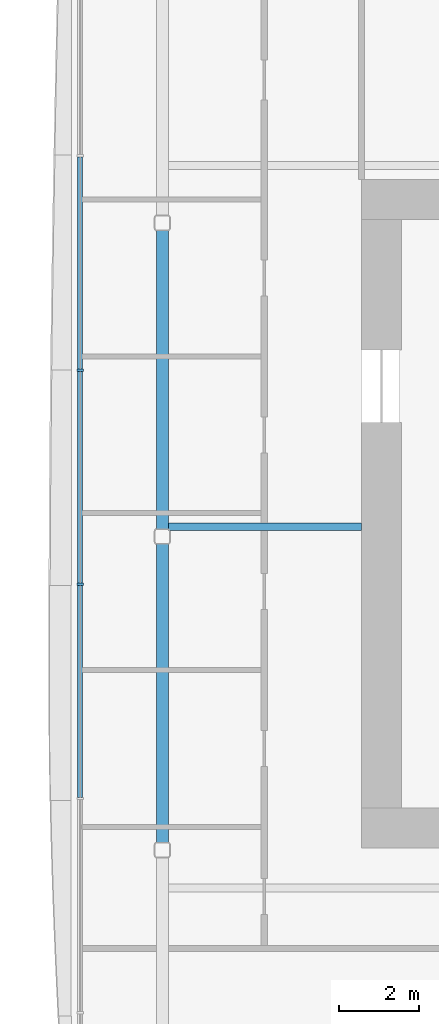
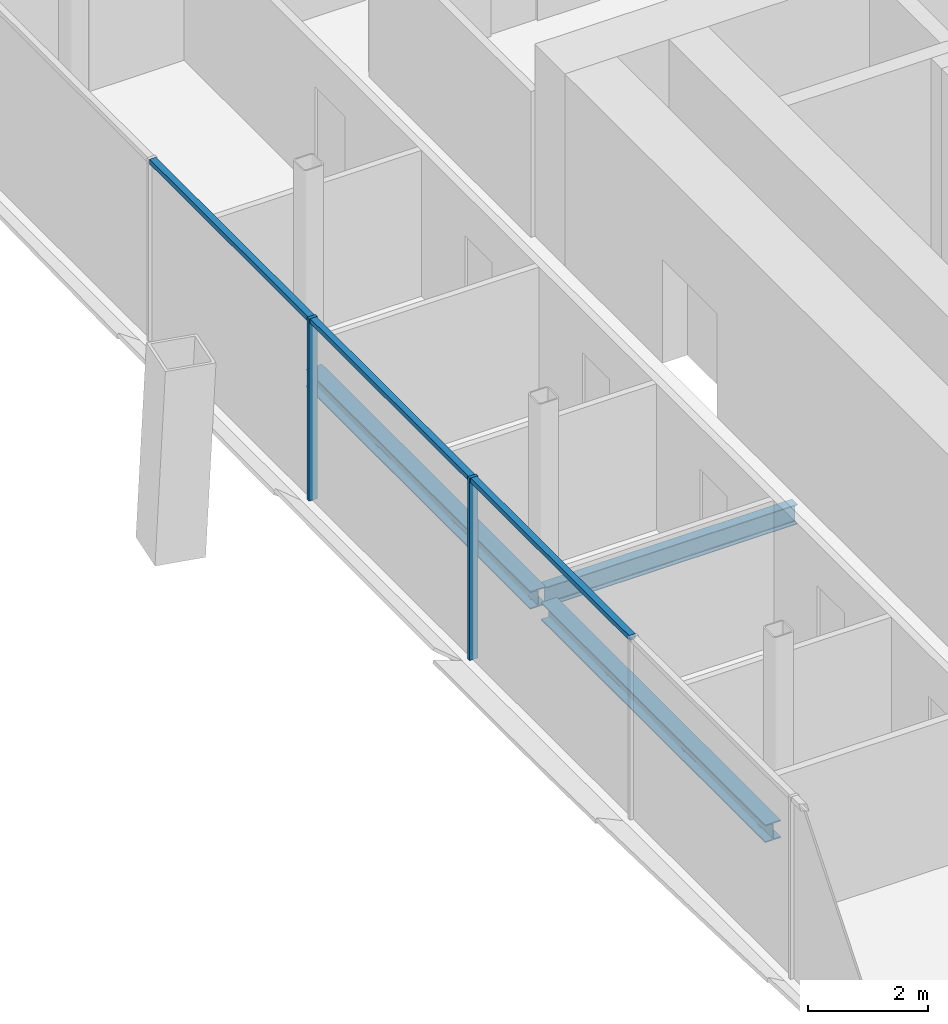
# One storey, part 4 of 19: 5 members, 3 beams, 1 element without a shape of its own.
"""IFC4 building model written with IfcOpenShell, lengths in metres."""

import ifcopenshell
import ifcopenshell.guid

model = None  # the IFC model being written
_history = None  # IfcOwnerHistory: only IFC2X3 demands one
_inside = {}  # id of a spatial element -> (the spatial element, [elements in it])
_under = {}  # id of a project, library or spatial element -> (it, [spatial elements below it])
_declared = {}  # id of a project -> (the project, [libraries it declares])
_typed = {}  # id of a type object -> (the type object, [elements of that type])
_made_of = {}  # id of a material, layer set ... -> (it, [elements and type objects made of it])


def new_model(schema):
    """Start an empty IFC model of exactly this schema.

    Asked for "IFC4X3", IfcOpenShell would pick the latest addendum, in which some entities
    have other attributes; the version numbers below select the first issue.
    IFC2X3 requires an IfcOwnerHistory on every rooted entity: one is made here for all.
    """
    global model, _history
    if schema == "IFC4X3":
        model = ifcopenshell.file(schema_version=(4, 3, 0, 0))
    else:
        model = ifcopenshell.file(schema=schema)
    _inside.clear()
    _under.clear()
    _declared.clear()
    _typed.clear()
    _made_of.clear()
    _history = None
    if model.schema == "IFC2X3":
        org = make("IfcOrganization", Name="unknown")
        user = make(
            "IfcPersonAndOrganization",
            ThePerson=make("IfcPerson", FamilyName="unknown"),
            TheOrganization=org,
        )
        app = make(
            "IfcApplication",
            ApplicationDeveloper=org,
            Version="unknown",
            ApplicationFullName="unknown",
            ApplicationIdentifier="unknown",
        )
        _history = make(
            "IfcOwnerHistory",
            OwningUser=user,
            OwningApplication=app,
            ChangeAction="ADDED",
            CreationDate=0,
        )
    return model


def make(cls, **values):
    """One entity of the class cls with the attributes given. An attribute that is None is left unset."""
    return model.create_entity(
        cls, **{name: value for name, value in values.items() if value is not None}
    )


def rooted(cls, **values):
    """An entity with a GlobalId (a new one), such as an element, a storey or a relation."""
    return make(cls, GlobalId=ifcopenshell.guid.new(), OwnerHistory=_history, **values)


def si_unit(unit_type, name, prefix=None):
    """IfcSIUnit, for example si_unit("LENGTHUNIT", "METRE", prefix="MILLI")."""
    return make("IfcSIUnit", UnitType=unit_type, Prefix=prefix, Name=name)


def assignment(units):
    """IfcUnitAssignment: the units of a project."""
    return None if units is None else make("IfcUnitAssignment", Units=units)


def point(xyz):
    """IfcCartesianPoint."""
    return None if xyz is None else make("IfcCartesianPoint", Coordinates=xyz)


def direction(xyz):
    """IfcDirection."""
    return None if xyz is None else make("IfcDirection", DirectionRatios=xyz)


def frame(location, z_axis=None, x_axis=None):
    """IfcAxis2Placement3D, a coordinate frame: its origin and axes. An axis left out is left unset."""
    return make(
        "IfcAxis2Placement3D",
        Location=point(location),
        Axis=direction(z_axis),
        RefDirection=direction(x_axis),
    )


def frame_2d(location, x_axis=None):
    """IfcAxis2Placement2D, a coordinate frame in the plane: its origin and x axis."""
    return make(
        "IfcAxis2Placement2D", Location=point(location), RefDirection=direction(x_axis)
    )


def origin():
    """The frame at (0, 0, 0) with its axes left unset."""
    return frame((0.0, 0.0, 0.0))


def origin_2d():
    """The frame at (0, 0) in the plane with its x axis left unset."""
    return frame_2d((0.0, 0.0))


def place(relative_to, where):
    """IfcLocalPlacement: puts the frame where relative to a parent placement (None: the world)."""
    return make(
        "IfcLocalPlacement", PlacementRelTo=relative_to, RelativePlacement=where
    )


def context(
    kind, dimensions, precision=None, world=None, true_north=None, identifier=None
):
    """IfcGeometricRepresentationContext, for example the 3D "Model" context."""
    return make(
        "IfcGeometricRepresentationContext",
        ContextIdentifier=identifier,
        ContextType=kind,
        CoordinateSpaceDimension=dimensions,
        Precision=precision,
        WorldCoordinateSystem=world,
        TrueNorth=true_north,
    )


def subcontext(parent, identifier, kind, view, scale=None):
    """IfcGeometricRepresentationSubContext, for example "Body" below "Model"."""
    return make(
        "IfcGeometricRepresentationSubContext",
        ContextIdentifier=identifier,
        ContextType=kind,
        ParentContext=parent,
        TargetScale=scale,
        TargetView=view,
    )


def project(units=None, contexts=None):
    """IfcProject with its units and contexts."""
    return rooted(
        "IfcProject",
        Name="project",
        RepresentationContexts=contexts,
        UnitsInContext=assignment(units),
    )


def spatial(cls, under=None, at=None, **own):
    """A site, building, storey or space (cls), placed at a placement, below another one or the project."""
    s = rooted(cls, ObjectPlacement=at, **own)
    if under is not None:
        _under.setdefault(under.id(), (under, []))[1].append(s)
    return s


def profile(cls, at=None, kind="AREA", **sizes):
    """A parametric profile (cls). Its sizes go by their IFC names, for example OverallWidth=200.0."""
    return make(cls, ProfileType=kind, Position=at, **sizes)


def rectangle(**sizes):
    """IfcRectangleProfileDef."""
    return profile("IfcRectangleProfileDef", **sizes)


def i_section(**sizes):
    """IfcIShapeProfileDef."""
    return profile("IfcIShapeProfileDef", **sizes)


def extrude(swept, where, along, depth):
    """IfcExtrudedAreaSolid: the profile swept, set in the frame where, extruded along a direction by depth."""
    return make(
        "IfcExtrudedAreaSolid",
        SweptArea=swept,
        Position=where,
        ExtrudedDirection=direction(along),
        Depth=depth,
    )


def shape(context_of_items, identifier, shape_type, items):
    """IfcShapeRepresentation: the items that make up one representation, for example the "Body"."""
    return make(
        "IfcShapeRepresentation",
        ContextOfItems=context_of_items,
        RepresentationIdentifier=identifier,
        RepresentationType=shape_type,
        Items=items,
    )


def material(Name=None, Category=None):
    """IfcMaterial."""
    return make("IfcMaterial", Name=Name, Category=Category)


def material_profile(
    of_material, cross_section, Name=None, Category=None, Priority=None
):
    """IfcMaterialProfile: a cross section and its material."""
    return make(
        "IfcMaterialProfile",
        Name=Name,
        Material=of_material,
        Profile=cross_section,
        Priority=Priority,
        Category=Category,
    )


def profile_set(profiles, Name=None, composite=None):
    """IfcMaterialProfileSet."""
    return make(
        "IfcMaterialProfileSet",
        Name=Name,
        MaterialProfiles=profiles,
        CompositeProfile=composite,
    )


def made_of(thing, what):
    """Note that an element or type object is made of a material, layer set ...; save() writes the relation."""
    if what is not None:
        _made_of.setdefault(what.id(), (what, []))[1].append(thing)
    return thing


def type_object(cls, material=None, **own):
    """A type object (cls), such as IfcWallType, which elements share."""
    return made_of(rooted(cls, **own), material)


def element(
    cls,
    number,
    at=None,
    inside=None,
    cuts=None,
    type_object=None,
    material=None,
    context=None,
    identifier="Body",
    shape_type=None,
    held_by="IfcProductDefinitionShape",
    body=None,
    shapes=None,
    **own,
):
    """One element of the class cls, such as IfcWall. Its Tag is "e" and its number.

    at: its placement. inside: the storey or other place that contains it. cuts: it is an
    opening in that element (IfcRelVoidsElement). A single representation is given by context,
    identifier, shape_type and body (its items); several are given by shapes. held_by: the class
    of the entity that holds the representations. save() writes the other relations.
    """
    e = rooted(cls, Tag="e%d" % number, ObjectPlacement=at, **own)
    if body is not None:
        shapes = [shape(context, identifier, shape_type, body)]
    if shapes is not None:
        e.Representation = make(held_by, Representations=shapes)
    if inside is not None:
        _inside.setdefault(inside.id(), (inside, []))[1].append(e)
    if cuts is not None:
        rooted(
            "IfcRelVoidsElement", RelatingBuildingElement=cuts, RelatedOpeningElement=e
        )
    if type_object is not None:
        _typed.setdefault(type_object.id(), (type_object, []))[1].append(e)
    return made_of(e, material)


def aggregate(whole, parts):
    """IfcRelAggregates: a whole, such as a stair, and the parts it consists of."""
    return rooted("IfcRelAggregates", RelatingObject=whole, RelatedObjects=parts)


def save(model, path):
    """Write the relations noted so far, then the file.

    IfcRelAggregates (storeys below a building ...), IfcRelContainedInSpatialStructure (elements
    in a storey), IfcRelDefinesByType, IfcRelAssociatesMaterial and IfcRelDeclares: one each for
    every whole, place, type object, material and project.
    """
    for whole, parts in _under.values():
        aggregate(whole, parts)
    for where, things in _inside.values():
        rooted(
            "IfcRelContainedInSpatialStructure",
            RelatedElements=things,
            RelatingStructure=where,
        )
    for kind, things in _typed.values():
        rooted("IfcRelDefinesByType", RelatedObjects=things, RelatingType=kind)
    for what, things in _made_of.values():
        rooted("IfcRelAssociatesMaterial", RelatedObjects=things, RelatingMaterial=what)
    for by, libraries in _declared.values():
        rooted("IfcRelDeclares", RelatingContext=by, RelatedDefinitions=libraries)
    model.write(path)


model = new_model("IFC4")

# Units and contexts
model_context = context("Model", 3, precision=1e-05, world=origin(), true_north=direction((0.0, 1.0)))
body_context = subcontext(model_context, "Body", "Model", "MODEL_VIEW")
ifc_project = project(units=[si_unit("LENGTHUNIT", "METRE"), si_unit("AREAUNIT", "SQUARE_METRE"), si_unit("VOLUMEUNIT", "CUBIC_METRE"), si_unit("PLANEANGLEUNIT", "RADIAN"), si_unit("MASSUNIT", "GRAM", prefix="KILO")], contexts=[model_context])

# Site, building, storey
site_placement = place(None, origin())
site = spatial("IfcSite", under=ifc_project, at=site_placement, CompositionType="ELEMENT")
building_placement = place(site_placement, origin())
building = spatial("IfcBuilding", under=site, at=building_placement, Name="Tskaro Facet Tower", CompositionType="ELEMENT")
storey_placement = place(building_placement, frame((0.0, 0.0, 81.60009765625)))
storey = spatial("IfcBuildingStorey", under=building, at=storey_placement, Name="L19", CompositionType="ELEMENT", Elevation=81.60009765625)

# Curtain wall, members
ifc_material_1 = material(Name="Bronze anodised aluminium 6063-T6", Category="aluminium")
curtain_wall_type = type_object("IfcCurtainWallType", Name="Bronze office curtain wall (FW1)", PredefinedType="NOTDEFINED", material=ifc_material_1)
curtain_wall_placement = place(storey_placement, origin())
curtain_wall = element("IfcCurtainWall", 1, at=curtain_wall_placement, inside=storey, type_object=curtain_wall_type, Name="FW1 west facet L19", PredefinedType="NOTDEFINED")
ifc_material_profile_1 = material_profile(ifc_material_1, rectangle(XDim=0.06005859375, YDim=0.159912109375, at=origin_2d()), Name="Mullion 60x160")
ifc_profile_set_1 = profile_set([ifc_material_profile_1], Name="Bronze anodised aluminium 6063-T6")
member_type_1 = type_object("IfcMemberType", Name="FW1 bronze mullion 60x160", PredefinedType="MULLION", material=ifc_profile_set_1)
member_1_placement = place(storey_placement, frame((-22.010986328125, -0.597412109375, 0.0), z_axis=(0.0, 0.0, 1.0), x_axis=(0.0, -1.0, 0.0)))
member_1 = element("IfcMember", 2, at=member_1_placement, type_object=member_type_1, Name="FW1 west mullion 4", PredefinedType="MULLION", context=body_context, shape_type="SweptSolid", body=[
    extrude(rectangle(XDim=0.06005859375, YDim=0.159912109375, at=origin_2d()), origin(), (0.0, 0.0, 1.0), 3.699951171875),
])
member_2_placement = place(storey_placement, frame((-22.010986328125, -5.932861328125, 0.0), z_axis=(0.0, 0.0, 1.0), x_axis=(0.0, -1.0, 0.0)))
member_2 = element("IfcMember", 3, at=member_2_placement, type_object=member_type_1, Name="FW1 west mullion 5", PredefinedType="MULLION", context=body_context, shape_type="SweptSolid", body=[
    extrude(rectangle(XDim=0.06005859375, YDim=0.159912109375, at=origin_2d()), origin(), (0.0, 0.0, 1.0), 3.699951171875),
])
ifc_material_profile_2 = material_profile(ifc_material_1, rectangle(XDim=0.1201171875, YDim=0.10009765625, at=origin_2d()), Name="Transom 120x100")
ifc_profile_set_2 = profile_set([ifc_material_profile_2], Name="Bronze anodised aluminium 6063-T6")
member_type_2 = type_object("IfcMemberType", Name="FW1 bronze transom 120x100", PredefinedType="USERDEFINED", material=ifc_profile_set_2)
member_3_placement = place(storey_placement, frame((-22.010986328125, 4.707763671875, 3.64990234375), z_axis=(0.0, -1.0, 0.0), x_axis=(1.0, 0.0, 0.0)))
member_3 = element("IfcMember", 4, at=member_3_placement, type_object=member_type_2, Name="FW1 west transom 4.1", ObjectType="TRANSOM", PredefinedType="USERDEFINED", context=body_context, shape_type="SweptSolid", body=[
    extrude(rectangle(XDim=0.1201171875, YDim=0.10009765625, at=origin_2d()), origin(), (0.0, 0.0, 1.0), 5.275146484375),
])
member_4_placement = place(storey_placement, frame((-22.010986328125, -0.62744140625, 3.64990234375), z_axis=(0.0, -1.0, 0.0), x_axis=(1.0, 0.0, 0.0)))
member_4 = element("IfcMember", 5, at=member_4_placement, type_object=member_type_2, Name="FW1 west transom 5.1", ObjectType="TRANSOM", PredefinedType="USERDEFINED", context=body_context, shape_type="SweptSolid", body=[
    extrude(rectangle(XDim=0.1201171875, YDim=0.10009765625, at=origin_2d()), origin(), (0.0, 0.0, 1.0), 5.275390625),
])
member_5_placement = place(storey_placement, frame((-22.010986328125, -5.962890625, 3.64990234375), z_axis=(0.0, -1.0, 0.0), x_axis=(1.0, 0.0, 0.0)))
member_5 = element("IfcMember", 6, at=member_5_placement, type_object=member_type_2, Name="FW1 west transom 6.1", ObjectType="TRANSOM", PredefinedType="USERDEFINED", context=body_context, shape_type="SweptSolid", body=[
    extrude(rectangle(XDim=0.1201171875, YDim=0.10009765625, at=origin_2d()), origin(), (0.0, 0.0, 1.0), 5.275390625),
])
aggregate(curtain_wall, [member_1, member_2, member_3, member_4, member_5])

# Beams
ifc_material_2 = material(Name="Steel S355J2", Category="steel")
ifc_material_profile_3 = material_profile(ifc_material_2, i_section(OverallWidth=0.300048828125, OverallDepth=0.360107421875, WebThickness=0.012451171875, FlangeThickness=0.0224609375, FilletRadius=0.027099609375, at=origin_2d()), Name="HE 360 B")
ifc_profile_set_3 = profile_set([ifc_material_profile_3], Name="Steel S355J2")
beam_type_1 = type_object("IfcBeamType", Name="HE 360 B ring beam", PredefinedType="BEAM", material=ifc_profile_set_3)
beam_1_placement = place(storey_placement, frame((-19.965087890625, 2.887939453125, -0.320068359375), z_axis=(0.0, -1.0, 0.0), x_axis=(1.0, 0.0, 0.0)))
element("IfcBeam", 7, at=beam_1_placement, inside=storey, type_object=beam_type_1, Name="HE 360 B EB21-2", PredefinedType="BEAM", context=body_context, shape_type="SweptSolid", body=[
    extrude(i_section(OverallWidth=0.300048828125, OverallDepth=0.360107421875, WebThickness=0.012451171875, FlangeThickness=0.0224609375, FilletRadius=0.027099609375, at=origin_2d()), origin(), (0.0, 0.0, 1.0), 7.449951171875),
])
beam_2_placement = place(storey_placement, frame((-19.965087890625, -4.922119140625, -0.320068359375), z_axis=(0.0, -1.0, 0.0), x_axis=(1.0, 0.0, 0.0)))
element("IfcBeam", 8, at=beam_2_placement, inside=storey, type_object=beam_type_1, Name="HE 360 B EB22-2", PredefinedType="BEAM", context=body_context, shape_type="SweptSolid", body=[
    extrude(i_section(OverallWidth=0.300048828125, OverallDepth=0.360107421875, WebThickness=0.012451171875, FlangeThickness=0.0224609375, FilletRadius=0.027099609375, at=origin_2d()), origin(), (0.0, 0.0, 1.0), 7.450927734375),
])
ifc_material_profile_4 = material_profile(ifc_material_2, i_section(OverallWidth=0.179931640625, OverallDepth=0.39990234375, WebThickness=0.008544921875, FlangeThickness=0.013427734375, FilletRadius=0.02099609375, at=origin_2d()), Name="IPE 400")
ifc_profile_set_4 = profile_set([ifc_material_profile_4], Name="Steel S355J2")
beam_type_2 = type_object("IfcBeamType", Name="IPE 400 secondary beam", PredefinedType="BEAM", material=ifc_profile_set_4)
beam_3_placement = place(storey_placement, frame((-19.81494140625, -4.5, -0.340087890625), z_axis=(1.0, 0.0, 0.0), x_axis=(0.0, 1.0, 0.0)))
element("IfcBeam", 9, at=beam_3_placement, inside=storey, type_object=beam_type_2, Name="IPE 400 SB3a-1-2", PredefinedType="BEAM", context=body_context, shape_type="SweptSolid", body=[
    extrude(i_section(OverallWidth=0.179931640625, OverallDepth=0.39990234375, WebThickness=0.008544921875, FlangeThickness=0.013427734375, FilletRadius=0.02099609375, at=origin_2d()), origin(), (0.0, 0.0, 1.0), 4.81494140625),
])

save(model, "model.ifc")
